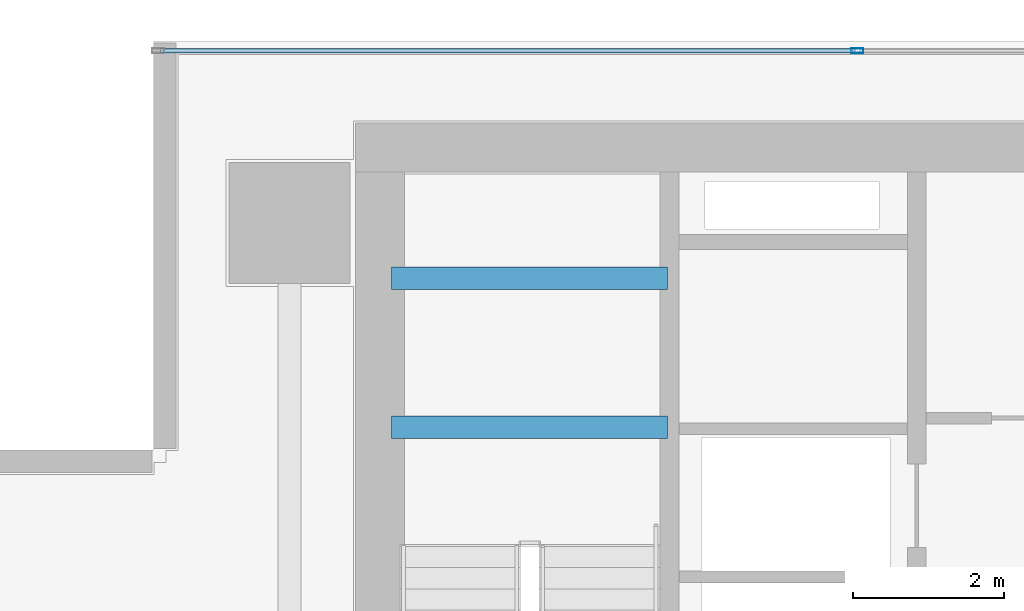
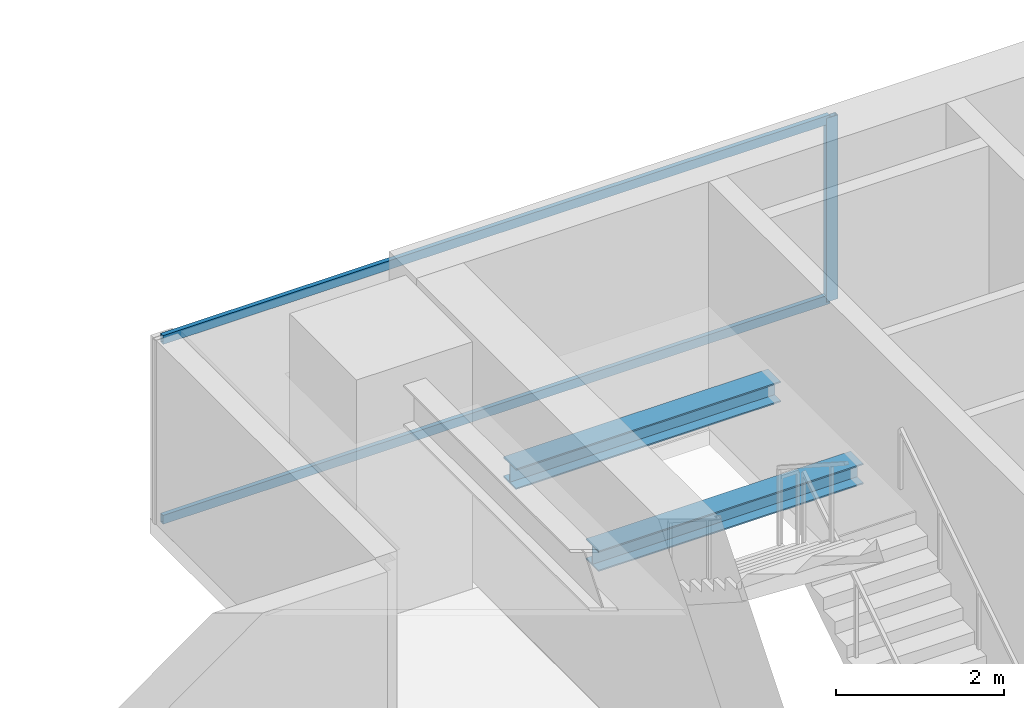
# One storey, part 15 of 28: 3 members, 2 beams, 1 element without a shape of its own.
"""IFC4 building model written with IfcOpenShell, lengths in metres."""

from ifc_helpers import new_model, si_unit, direction, frame, origin, origin_2d, place, context, subcontext, project, spatial, hollow_rectangle, i_section, extrude, source, transform, mapped, material, layer, layer_set, material_profile, profile_set, type_object, element, aggregate, save


model = new_model("IFC4")

# Units and contexts
model_context = context("Model", 3, precision=1e-05, world=origin(), true_north=direction((0.0, 1.0)))
body_context = subcontext(model_context, "Body", "Model", "MODEL_VIEW")
ifc_project = project(units=[si_unit("LENGTHUNIT", "METRE"), si_unit("AREAUNIT", "SQUARE_METRE"), si_unit("VOLUMEUNIT", "CUBIC_METRE"), si_unit("PLANEANGLEUNIT", "RADIAN"), si_unit("MASSUNIT", "GRAM", prefix="KILO")], contexts=[model_context])

# Site, building, storey
site_placement = place(None, origin())
site = spatial("IfcSite", under=ifc_project, at=site_placement, CompositionType="ELEMENT")
building_placement = place(site_placement, origin())
building = spatial("IfcBuilding", under=site, at=building_placement, Name="Sumidabori Civic Tower", CompositionType="ELEMENT")
storey_placement = place(building_placement, frame((0.0, 0.0, 185.60009765625)))
storey = spatial("IfcBuildingStorey", under=building, at=storey_placement, Name="L48", CompositionType="ELEMENT", Elevation=185.60009765625)

# Beams
ifc_material_1 = material(Name="Steel SN490", Category="steel")
ifc_material_profile_1 = material_profile(ifc_material_1, i_section(OverallWidth=0.300048828125, OverallDepth=0.300048828125, WebThickness=0.010986328125, FlangeThickness=0.01904296875, at=origin_2d()), Name="HE 300 B")
ifc_profile_set_1 = profile_set([ifc_material_profile_1], Name="Steel SN490")
beam_type = type_object("IfcBeamType", Name="BM-LDG-300", PredefinedType="BEAM", material=ifc_profile_set_1)
shared_shape_1 = source(origin(), body_context, "Body", "SweptSolid", [
    extrude(i_section(OverallWidth=0.300048828125, OverallDepth=0.300048828125, WebThickness=0.010986328125, FlangeThickness=0.01904296875, at=origin_2d()), origin(), (0.0, 0.0, 1.0), 3.64990234375),
])
for number, where, z_axis, x_axis, name in (
    (1, (-15.449951171875, 20.09765625, 1.449951171875), (1.0, 0.0, 0.0), (0.0, 1.0, 0.0), "Stair ST-1 Landing Support Beam L48-1A"),
    (2, (-15.449951171875, 22.069580078125, 1.449951171875), (1.0, 0.0, 0.0), (0.0, 1.0, 0.0), "Stair ST-1 Landing Trimmer Beam L48-1B"),
):
    element("IfcBeam", number, at=place(storey_placement, frame(where, z_axis=z_axis, x_axis=x_axis)), inside=storey, type_object=beam_type, Name=name, PredefinedType="BEAM", context=body_context, shape_type="MappedRepresentation", body=[
        mapped(shared_shape_1, transform((0.0, 0.0, 0.0), x_axis=(1.0, 0.0, 0.0), y_axis=(0.0, 1.0, 0.0), z_axis=(0.0, 0.0, 1.0), scale=1.0)),
    ])

# Curtain wall, members
ifc_material_2 = material(Name="Anodised Bronze Aluminium AW-6063-T6", Category="aluminium")
ifc_layer = layer(ifc_material_2, 0.179931640625, Name="Anodised Bronze Aluminium AW-6063-T6")
ifc_layer_set = layer_set([ifc_layer], Name="Anodised Bronze Aluminium AW-6063-T6")
curtain_wall_type = type_object("IfcCurtainWallType", Name="CW-SYS-3", PredefinedType="NOTDEFINED", material=ifc_layer_set)
curtain_wall_placement = place(storey_placement, origin())
curtain_wall = element("IfcCurtainWall", 3, at=curtain_wall_placement, inside=storey, type_object=curtain_wall_type, Name="Curtain Wall CW:L48:R07", PredefinedType="NOTDEFINED")
ifc_material_profile_2 = material_profile(ifc_material_2, hollow_rectangle(XDim=0.06494140625, YDim=0.159912109375, WallThickness=0.0048828125, at=origin_2d()), Name="ALU MULLION 160x65")
ifc_profile_set_2 = profile_set([ifc_material_profile_2], Name="Anodised Bronze Aluminium AW-6063-T6")
member_type_1 = type_object("IfcMemberType", Name="CW-MUL-160", PredefinedType="MULLION", material=ifc_profile_set_2)
shared_shape_2 = source(origin(), body_context, "Body", "SweptSolid", [
    extrude(hollow_rectangle(XDim=0.06494140625, YDim=0.159912109375, WallThickness=0.0048828125, at=origin_2d()), origin(), (0.0, 0.0, 1.0), 2.679931640625),
])
member_1_placement = place(storey_placement, frame((-9.284912109375, 25.080078125, 0.0), z_axis=(0.0, 0.0, 1.0), x_axis=(0.0, -1.0, 0.0)))
member_1 = element("IfcMember", 4, at=member_1_placement, type_object=member_type_1, Name="CW-3 mullion 4", PredefinedType="MULLION", context=body_context, shape_type="MappedRepresentation", body=[
    mapped(shared_shape_2, transform((0.0, 0.0, 0.0), x_axis=(1.0, 0.0, 0.0), y_axis=(0.0, 1.0, 0.0), z_axis=(0.0, 0.0, 1.0), scale=1.0)),
])
ifc_material_profile_3 = material_profile(ifc_material_2, hollow_rectangle(XDim=0.06005859375, YDim=0.1298828125, WallThickness=0.0048828125, at=origin_2d()), Name="ALU TRANSOM 130x60")
ifc_profile_set_3 = profile_set([ifc_material_profile_3], Name="Anodised Bronze Aluminium AW-6063-T6")
member_type_2 = type_object("IfcMemberType", Name="CW-TRN-130", PredefinedType="USERDEFINED", material=ifc_profile_set_3)
shared_shape_3 = source(origin(), body_context, "Body", "SweptSolid", [
    extrude(hollow_rectangle(XDim=0.06005859375, YDim=0.1298828125, WallThickness=0.0048828125, at=origin_2d()), origin(), (0.0, 0.0, 1.0), 9.1875),
])
member_2_placement = place(storey_placement, frame((-9.3173828125, 25.080078125, 0.02978515625), z_axis=(-1.0, 0.0, 0.0), x_axis=(0.0, -1.0, 0.0)))
member_2 = element("IfcMember", 5, at=member_2_placement, type_object=member_type_2, Name="CW-3 transom 4.1", ObjectType="TRANSOM", PredefinedType="USERDEFINED", context=body_context, shape_type="MappedRepresentation", body=[
    mapped(shared_shape_3, transform((0.0, 0.0, 0.0), x_axis=(1.0, 0.0, 0.0), y_axis=(0.0, 1.0, 0.0), z_axis=(0.0, 0.0, 1.0), scale=1.0)),
])
member_3_placement = place(storey_placement, frame((-9.3173828125, 25.080078125, 2.64990234375), z_axis=(-1.0, 0.0, 0.0), x_axis=(0.0, -1.0, 0.0)))
member_3 = element("IfcMember", 6, at=member_3_placement, type_object=member_type_2, Name="CW-3 transom 4.2", ObjectType="TRANSOM", PredefinedType="USERDEFINED", context=body_context, shape_type="MappedRepresentation", body=[
    mapped(shared_shape_3, transform((0.0, 0.0, 0.0), x_axis=(1.0, 0.0, 0.0), y_axis=(0.0, 1.0, 0.0), z_axis=(0.0, 0.0, 1.0), scale=1.0)),
])
aggregate(curtain_wall, [member_1, member_2, member_3])

save(model, "model.ifc")
